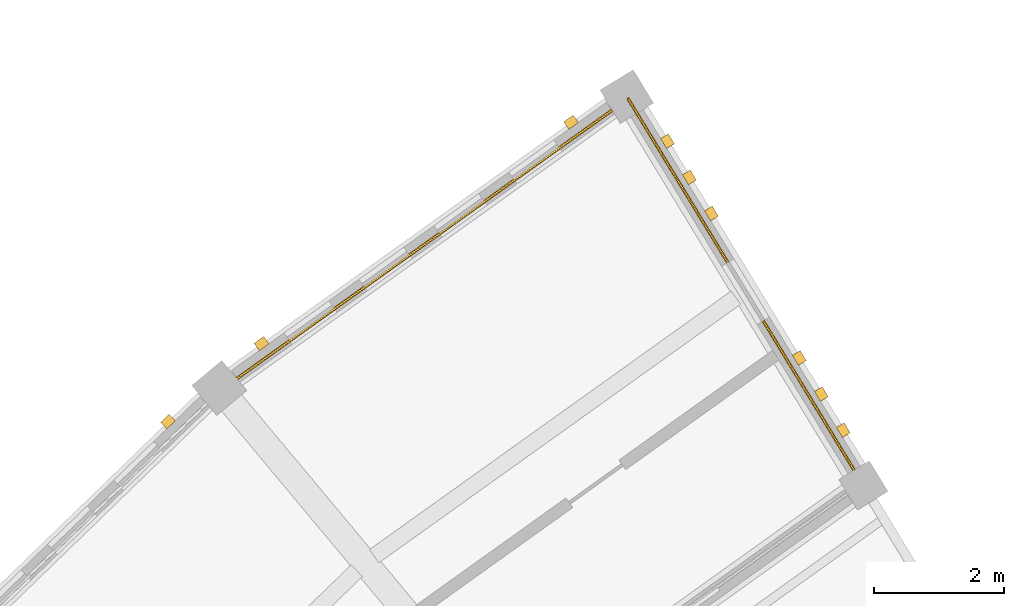
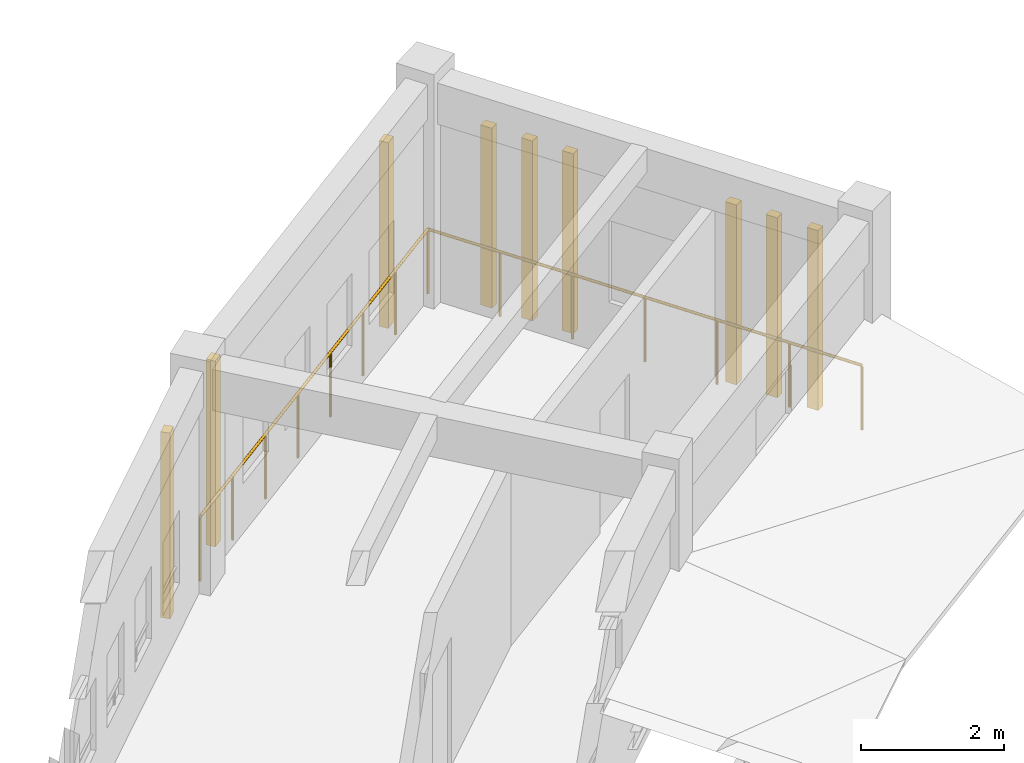
# One storey, part 105 of 112: 9 coverings, 2 railings.
"""IFC4 building model written with IfcOpenShell, lengths in metres."""

from ifc_helpers import new_model, si_unit, direction, frame, origin, origin_2d, place, context, subcontext, project, spatial, rectangle, circle, extrude, material, layer, layer_set, type_object, element, save


model = new_model("IFC4")

# Units and contexts
model_context = context("Model", 3, precision=1e-05, world=origin(), true_north=direction((0.0, 1.0)))
body_context = subcontext(model_context, "Body", "Model", "MODEL_VIEW")
ifc_project = project(units=[si_unit("LENGTHUNIT", "METRE"), si_unit("AREAUNIT", "SQUARE_METRE"), si_unit("VOLUMEUNIT", "CUBIC_METRE"), si_unit("PLANEANGLEUNIT", "RADIAN"), si_unit("MASSUNIT", "GRAM", prefix="KILO")], contexts=[model_context])

# Site, building, storey
site_placement = place(None, origin())
site = spatial("IfcSite", under=ifc_project, at=site_placement, CompositionType="ELEMENT")
building_placement = place(site_placement, origin())
building = spatial("IfcBuilding", under=site, at=building_placement, Name="Celadon Cloister-Ring School", CompositionType="ELEMENT")
storey_placement = place(building_placement, frame((0.0, 0.0, 8.5)))
storey = spatial("IfcBuildingStorey", under=building, at=storey_placement, Name="L02", CompositionType="ELEMENT", Elevation=8.5)

# Coverings
ifc_material_1 = material(Name="Perforated terracotta clay brick masonry", Category="masonry")
ifc_layer = layer(ifc_material_1, 0.139892578125)
ifc_layer_set = layer_set([ifc_layer], Name="Perforated terracotta clay brick masonry")
covering_type = type_object("IfcCoveringType", Name="CV-SC1", PredefinedType="CLADDING", material=ifc_layer_set)
for number, where, z_axis, x_axis, name in (
    (1, (54.35400390625, 99.6240234375, 0.0), (0.0, 0.0, 1.0), (0.813415600856, 0.581682955126, 0.0), "Brick Screen Rib 0233"),
    (2, (59.112060546875, 103.027099609375, 0.0), (0.0, 0.0, 1.0), (0.813415600856, 0.581682955126, 0.0), "Brick Screen Rib 0234"),
    (3, (52.9140625, 98.424072265625, 0.0), (0.0, 0.0, 1.0), (0.718587686634, 0.695436364176, 0.0), "Brick Screen Rib 0236"),
):
    element("IfcCovering", number, at=place(storey_placement, frame(where, z_axis=z_axis, x_axis=x_axis)), inside=storey, type_object=covering_type, Name=name, PredefinedType="CLADDING", context=body_context, shape_type="SweptSolid", body=[
        extrude(rectangle(XDim=0.179931640625, YDim=0.139892578125, at=origin_2d()), origin(), (0.0, 0.0, 1.0), 3.172119140625),
    ])
for number, where, z_axis, x_axis, name in (
    (4, (60.594970703125, 102.735107421875, 0.0), (0.0, 0.0, 1.0), (0.51986207177, -0.854250212956, 0.0), "Brick Screen Rib 0322"),
    (5, (60.931884765625, 102.178955078125, 0.0), (0.0, 0.0, 1.0), (0.51986207177, -0.854250212956, 0.0), "Brick Screen Rib 0323"),
    (6, (61.27001953125, 101.6240234375, 0.0), (0.0, 0.0, 1.0), (0.51986207177, -0.854250212956, 0.0), "Brick Screen Rib 0324"),
    (7, (62.6220703125, 99.403076171875, 0.0), (0.0, 0.0, 1.0), (0.51986207177, -0.854250212956, 0.0), "Brick Screen Rib 0325"),
    (8, (62.9599609375, 98.847900390625, 0.0), (0.0, 0.0, 1.0), (0.51986207177, -0.854250212956, 0.0), "Brick Screen Rib 0326"),
    (9, (63.298095703125, 98.2919921875, 0.0), (0.0, 0.0, 1.0), (0.51986207177, -0.854250212956, 0.0), "Brick Screen Rib 0327"),
):
    element("IfcCovering", number, at=place(storey_placement, frame(where, z_axis=z_axis, x_axis=x_axis)), inside=storey, type_object=covering_type, Name=name, PredefinedType="CLADDING", context=body_context, shape_type="SweptSolid", body=[
        extrude(rectangle(XDim=0.179931640625, YDim=0.139892578125, at=origin_2d()), origin(), (0.0, 0.0, 1.0), 3.072021484375),
    ])

# Railings
ifc_material_2 = material(Name="Structural steel S355JR", Category="steel")
railing_type = type_object("IfcRailingType", Name="RL-BL1", PredefinedType="BALUSTRADE", material=ifc_material_2)
railing_1_placement = place(storey_placement, frame((59.989990234375, 103.387939453125, 0.0)))
element("IfcRailing", 10, at=railing_1_placement, inside=storey, type_object=railing_type, Name="Terrace Balustrade 0073", PredefinedType="BALUSTRADE", context=body_context, shape_type="SweptSolid", body=[
    extrude(circle(Radius=0.02392578125, at=origin_2d()), frame((0.0, 0.0, 1.09619140625), z_axis=(-0.81343117442, -0.581661176702, 0.0), x_axis=(0.581661176702, -0.81343117442, 0.0)), (0.0, 0.0, 1.0), 7.697021484375),
    extrude(circle(Radius=0.02099609375, at=origin_2d()), origin(), (0.0, 0.0, 1.0), 1.072021484375),
    extrude(circle(Radius=0.02099609375, at=origin_2d()), frame((-0.89453125, -0.6396484375, 0.0)), (0.0, 0.0, 1.0), 1.072021484375),
    extrude(circle(Radius=0.02099609375, at=origin_2d()), frame((-1.788818359375, -1.279052734375, 0.0)), (0.0, 0.0, 1.0), 1.072021484375),
    extrude(circle(Radius=0.02099609375, at=origin_2d()), frame((-2.683349609375, -1.918701171875, 0.0)), (0.0, 0.0, 1.0), 1.072021484375),
    extrude(circle(Radius=0.02099609375, at=origin_2d()), frame((-3.57763671875, -2.558349609375, 0.0)), (0.0, 0.0, 1.0), 1.072021484375),
    extrude(circle(Radius=0.02099609375, at=origin_2d()), frame((-4.47216796875, -3.197998046875, 0.0)), (0.0, 0.0, 1.0), 1.072021484375),
    extrude(circle(Radius=0.02099609375, at=origin_2d()), frame((-5.366455078125, -3.83740234375, 0.0)), (0.0, 0.0, 1.0), 1.072021484375),
    extrude(circle(Radius=0.02099609375, at=origin_2d()), frame((-6.260986328125, -4.47705078125, 0.0)), (0.0, 0.0, 1.0), 1.072021484375),
])
railing_2_placement = place(storey_placement, frame((63.5869140625, 97.47705078125, 0.0)))
element("IfcRailing", 11, at=railing_2_placement, inside=storey, type_object=railing_type, Name="Terrace Balustrade 0143", PredefinedType="BALUSTRADE", context=body_context, shape_type="SweptSolid", body=[
    extrude(circle(Radius=0.02392578125, at=origin_2d()), frame((0.0, 0.0, 1.09619140625), z_axis=(-0.519840603898, 0.854263277063, 0.0), x_axis=(-0.854263277063, -0.519840603898, 0.0)), (0.0, 0.0, 1.0), 6.919189453125),
    extrude(circle(Radius=0.02099609375, at=origin_2d()), origin(), (0.0, 0.0, 1.0), 1.072021484375),
    extrude(circle(Radius=0.02099609375, at=origin_2d()), frame((-0.599609375, 0.985107421875, 0.0)), (0.0, 0.0, 1.0), 1.072021484375),
    extrude(circle(Radius=0.02099609375, at=origin_2d()), frame((-1.198974609375, 1.97021484375, 0.0)), (0.0, 0.0, 1.0), 1.072021484375),
    extrude(circle(Radius=0.02099609375, at=origin_2d()), frame((-1.79833984375, 2.95556640625, 0.0)), (0.0, 0.0, 1.0), 1.072021484375),
    extrude(circle(Radius=0.02099609375, at=origin_2d()), frame((-2.39794921875, 3.940673828125, 0.0)), (0.0, 0.0, 1.0), 1.072021484375),
    extrude(circle(Radius=0.02099609375, at=origin_2d()), frame((-2.99755859375, 4.92578125, 0.0)), (0.0, 0.0, 1.0), 1.072021484375),
    extrude(circle(Radius=0.02099609375, at=origin_2d()), frame((-3.596923828125, 5.910888671875, 0.0)), (0.0, 0.0, 1.0), 1.072021484375),
])

save(model, "model.ifc")
